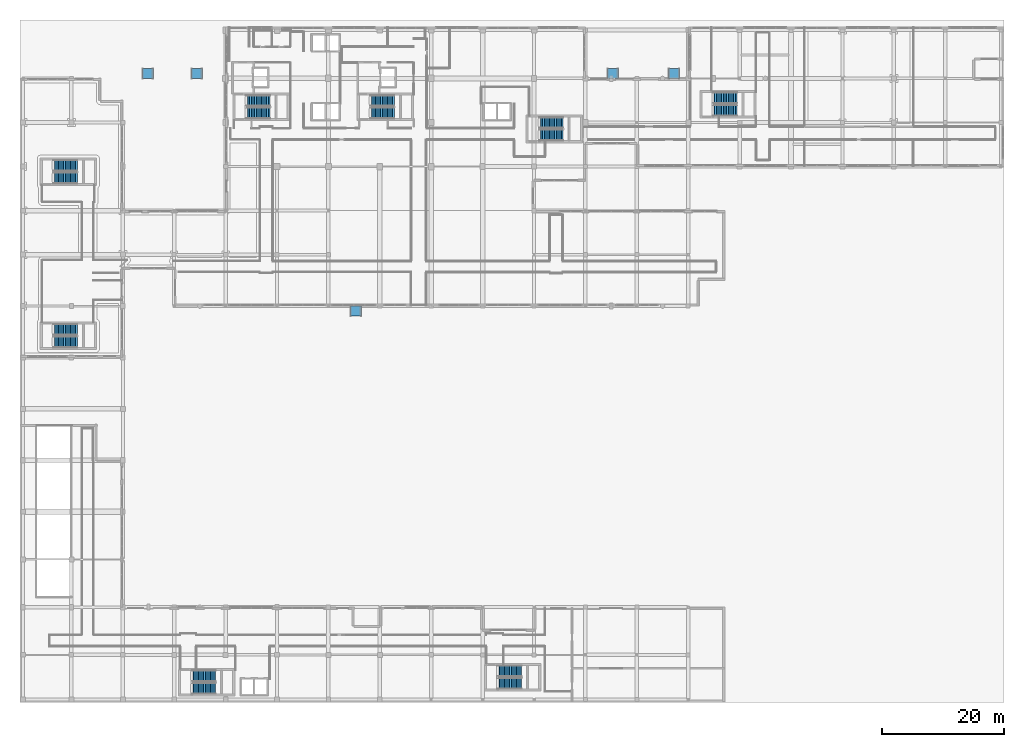
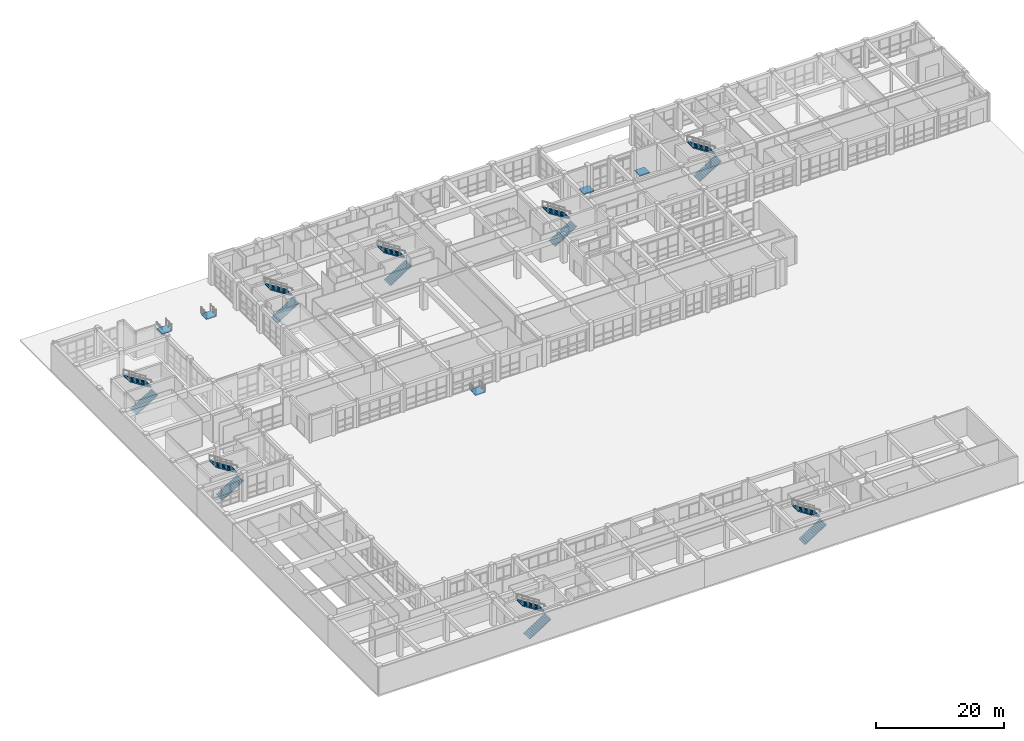
# One storey, part 136 of 148: 16 stair flights, 5 ramps, 5 ramp flights, 8 elements without a shape of their own.
"""IFC4 building model written with IfcOpenShell, lengths in metres."""

from ifc_helpers import new_model, si_unit, direction, frame, origin, place, context, subcontext, project, spatial, polyline, outline, extrude, material, layer, layer_set, type_object, element, aggregate, save


model = new_model("IFC4")

# Units and contexts
model_context = context("Model", 3, precision=1e-05, world=origin(), true_north=direction((0.0, 1.0)))
body_context = subcontext(model_context, "Body", "Model", "MODEL_VIEW")
ifc_project = project(units=[si_unit("LENGTHUNIT", "METRE"), si_unit("AREAUNIT", "SQUARE_METRE"), si_unit("VOLUMEUNIT", "CUBIC_METRE"), si_unit("PLANEANGLEUNIT", "RADIAN"), si_unit("MASSUNIT", "GRAM", prefix="KILO")], contexts=[model_context])

# Site, building, storey
site_placement = place(None, origin())
site = spatial("IfcSite", under=ifc_project, at=site_placement, CompositionType="ELEMENT")
building_placement = place(site_placement, origin())
building = spatial("IfcBuilding", under=site, at=building_placement, Name="Quendrovan Civic Courthouse", CompositionType="ELEMENT")
storey_placement = place(building_placement, origin())
storey = spatial("IfcBuildingStorey", under=building, at=storey_placement, Name="L01", CompositionType="ELEMENT", Elevation=0.0)

# Stair, stair flights
ifc_material_1 = material(Name="Concrete C40/50", Category="concrete")
stair_type_1 = type_object("IfcStairType", Name="STR-CORE-5400", PredefinedType="HALF_TURN_STAIR", material=ifc_material_1)
stair_1_placement = place(storey_placement, origin())
stair_1 = element("IfcStair", 1, at=stair_1_placement, inside=storey, type_object=stair_type_1, Name="L01 West Judicial and Public Exit Stair 1", PredefinedType="HALF_TURN_STAIR")
stair_flight_type_1 = type_object("IfcStairFlightType", Name="FLT-CORE-5400", PredefinedType="STRAIGHT", material=ifc_material_1)
stair_flight_1_placement = place(storey_placement, frame((36.949951171875, 96.324951171875, 0.0), z_axis=(0.0, 0.0, 1.0), x_axis=(1.0, 0.0, 0.0)))
stair_flight_1 = element("IfcStairFlight", 2, at=stair_flight_1_placement, type_object=stair_flight_type_1, Name="ST1 flight 1", NumberOfRisers=15, NumberOfTreads=14, PredefinedType="STRAIGHT", RiserHeight=0.18, TreadLength=0.28, context=body_context, shape_type="SweptSolid", body=[
    extrude(outline(polyline([(0.0, 0.0), (0.0, 0.179931640625), (0.280029296875, 0.179931640625), (0.280029296875, 0.360107421875), (0.56005859375, 0.360107421875), (0.56005859375, 0.5400390625), (0.840087890625, 0.5400390625), (0.840087890625, 0.719970703125), (1.1201171875, 0.719970703125), (1.1201171875, 0.89990234375), (1.39990234375, 0.89990234375), (1.39990234375, 1.080078125), (1.679931640625, 1.080078125), (1.679931640625, 1.260009765625), (1.9599609375, 1.260009765625), (1.9599609375, 1.43994140625), (2.239990234375, 1.43994140625), (2.239990234375, 1.6201171875), (2.52001953125, 1.6201171875), (2.52001953125, 1.800048828125), (2.800048828125, 1.800048828125), (2.800048828125, 1.97998046875), (3.080078125, 1.97998046875), (3.080078125, 2.159912109375), (3.360107421875, 2.159912109375), (3.360107421875, 2.340087890625), (3.639892578125, 2.340087890625), (3.639892578125, 2.52001953125), (3.919921875, 2.52001953125), (3.919921875, 2.699951171875), (3.919921875, 2.341796875), (0.277099609375, 0.0), (0.0, 0.0)])), frame((0.0, 0.925048828125, 0.0), z_axis=(0.0, -1.0, 0.0), x_axis=(1.0, 0.0, 0.0)), (0.0, 0.0, 1.0), 1.85009765625),
])
stair_flight_2_placement = place(storey_placement, frame((40.8701171875, 98.35498046875, 2.699951171875), z_axis=(0.0, 0.0, 1.0), x_axis=(-1.0, 0.0, 0.0)))
stair_flight_2 = element("IfcStairFlight", 3, at=stair_flight_2_placement, type_object=stair_flight_type_1, Name="ST1 flight 2", NumberOfRisers=15, NumberOfTreads=14, PredefinedType="STRAIGHT", RiserHeight=0.18, TreadLength=0.28, context=body_context, shape_type="SweptSolid", body=[
    extrude(outline(polyline([(0.0, 0.0), (0.0, 0.179931640625), (0.280029296875, 0.179931640625), (0.280029296875, 0.360107421875), (0.56005859375, 0.360107421875), (0.56005859375, 0.5400390625), (0.840087890625, 0.5400390625), (0.840087890625, 0.719970703125), (1.1201171875, 0.719970703125), (1.1201171875, 0.89990234375), (1.39990234375, 0.89990234375), (1.39990234375, 1.080078125), (1.679931640625, 1.080078125), (1.679931640625, 1.260009765625), (1.9599609375, 1.260009765625), (1.9599609375, 1.43994140625), (2.239990234375, 1.43994140625), (2.239990234375, 1.6201171875), (2.52001953125, 1.6201171875), (2.52001953125, 1.800048828125), (2.800048828125, 1.800048828125), (2.800048828125, 1.97998046875), (3.080078125, 1.97998046875), (3.080078125, 2.159912109375), (3.360107421875, 2.159912109375), (3.360107421875, 2.340087890625), (3.639892578125, 2.340087890625), (3.639892578125, 2.52001953125), (3.919921875, 2.52001953125), (3.919921875, 2.699951171875), (3.919921875, 2.341796875), (0.277099609375, 0.0), (0.0, 0.0)])), frame((0.0, 0.925048828125, 0.0), z_axis=(0.0, -1.0, 0.0), x_axis=(1.0, 0.0, 0.0)), (0.0, 0.0, 1.0), 1.85009765625),
])
aggregate(stair_1, [stair_flight_1, stair_flight_2])

stair_2_placement = place(storey_placement, origin())
stair_2 = element("IfcStair", 4, at=stair_2_placement, inside=storey, type_object=stair_type_1, Name="L01 Central Judicial and Firefighting Exit Stair 2", PredefinedType="HALF_TURN_STAIR")
stair_flight_3_placement = place(storey_placement, frame((57.25, 96.324951171875, 0.0), z_axis=(0.0, 0.0, 1.0), x_axis=(1.0, 0.0, 0.0)))
stair_flight_3 = element("IfcStairFlight", 5, at=stair_flight_3_placement, type_object=stair_flight_type_1, Name="ST2 flight 1", NumberOfRisers=15, NumberOfTreads=14, PredefinedType="STRAIGHT", RiserHeight=0.18, TreadLength=0.28, context=body_context, shape_type="SweptSolid", body=[
    extrude(outline(polyline([(0.0, 0.0), (0.0, 0.179931640625), (0.280029296875, 0.179931640625), (0.280029296875, 0.360107421875), (0.56005859375, 0.360107421875), (0.56005859375, 0.5400390625), (0.840087890625, 0.5400390625), (0.840087890625, 0.719970703125), (1.1201171875, 0.719970703125), (1.1201171875, 0.89990234375), (1.39990234375, 0.89990234375), (1.39990234375, 1.080078125), (1.679931640625, 1.080078125), (1.679931640625, 1.260009765625), (1.9599609375, 1.260009765625), (1.9599609375, 1.43994140625), (2.239990234375, 1.43994140625), (2.239990234375, 1.6201171875), (2.52001953125, 1.6201171875), (2.52001953125, 1.800048828125), (2.800048828125, 1.800048828125), (2.800048828125, 1.97998046875), (3.080078125, 1.97998046875), (3.080078125, 2.159912109375), (3.360107421875, 2.159912109375), (3.360107421875, 2.340087890625), (3.639892578125, 2.340087890625), (3.639892578125, 2.52001953125), (3.919921875, 2.52001953125), (3.919921875, 2.699951171875), (3.919921875, 2.341796875), (0.277099609375, 0.0), (0.0, 0.0)])), frame((0.0, 0.925048828125, 0.0), z_axis=(0.0, -1.0, 0.0), x_axis=(1.0, 0.0, 0.0)), (0.0, 0.0, 1.0), 1.85009765625),
])
stair_flight_4_placement = place(storey_placement, frame((61.169921875, 98.35498046875, 2.699951171875), z_axis=(0.0, 0.0, 1.0), x_axis=(-1.0, 0.0, 0.0)))
stair_flight_4 = element("IfcStairFlight", 6, at=stair_flight_4_placement, type_object=stair_flight_type_1, Name="ST2 flight 2", NumberOfRisers=15, NumberOfTreads=14, PredefinedType="STRAIGHT", RiserHeight=0.18, TreadLength=0.28, context=body_context, shape_type="SweptSolid", body=[
    extrude(outline(polyline([(0.0, 0.0), (0.0, 0.179931640625), (0.280029296875, 0.179931640625), (0.280029296875, 0.360107421875), (0.56005859375, 0.360107421875), (0.56005859375, 0.5400390625), (0.840087890625, 0.5400390625), (0.840087890625, 0.719970703125), (1.1201171875, 0.719970703125), (1.1201171875, 0.89990234375), (1.39990234375, 0.89990234375), (1.39990234375, 1.080078125), (1.679931640625, 1.080078125), (1.679931640625, 1.260009765625), (1.9599609375, 1.260009765625), (1.9599609375, 1.43994140625), (2.239990234375, 1.43994140625), (2.239990234375, 1.6201171875), (2.52001953125, 1.6201171875), (2.52001953125, 1.800048828125), (2.800048828125, 1.800048828125), (2.800048828125, 1.97998046875), (3.080078125, 1.97998046875), (3.080078125, 2.159912109375), (3.360107421875, 2.159912109375), (3.360107421875, 2.340087890625), (3.639892578125, 2.340087890625), (3.639892578125, 2.52001953125), (3.919921875, 2.52001953125), (3.919921875, 2.699951171875), (3.919921875, 2.341796875), (0.277099609375, 0.0), (0.0, 0.0)])), frame((0.0, 0.925048828125, 0.0), z_axis=(0.0, -1.0, 0.0), x_axis=(1.0, 0.0, 0.0)), (0.0, 0.0, 1.0), 1.85009765625),
])
aggregate(stair_2, [stair_flight_3, stair_flight_4])

stair_3_placement = place(storey_placement, origin())
stair_3 = element("IfcStair", 7, at=stair_3_placement, inside=storey, type_object=stair_type_1, Name="L01 East Court Block Exit Stair 3", PredefinedType="HALF_TURN_STAIR")
stair_flight_5_placement = place(storey_placement, frame((84.85009765625, 92.72509765625, 0.0), z_axis=(0.0, 0.0, 1.0), x_axis=(1.0, 0.0, 0.0)))
stair_flight_5 = element("IfcStairFlight", 8, at=stair_flight_5_placement, type_object=stair_flight_type_1, Name="ST3 flight 1", NumberOfRisers=15, NumberOfTreads=14, PredefinedType="STRAIGHT", RiserHeight=0.18, TreadLength=0.28, context=body_context, shape_type="SweptSolid", body=[
    extrude(outline(polyline([(0.0, 0.0), (0.0, 0.179931640625), (0.280029296875, 0.179931640625), (0.280029296875, 0.360107421875), (0.56005859375, 0.360107421875), (0.56005859375, 0.5400390625), (0.840087890625, 0.5400390625), (0.840087890625, 0.719970703125), (1.1201171875, 0.719970703125), (1.1201171875, 0.89990234375), (1.39990234375, 0.89990234375), (1.39990234375, 1.080078125), (1.679931640625, 1.080078125), (1.679931640625, 1.260009765625), (1.9599609375, 1.260009765625), (1.9599609375, 1.43994140625), (2.239990234375, 1.43994140625), (2.239990234375, 1.6201171875), (2.52001953125, 1.6201171875), (2.52001953125, 1.800048828125), (2.800048828125, 1.800048828125), (2.800048828125, 1.97998046875), (3.080078125, 1.97998046875), (3.080078125, 2.159912109375), (3.360107421875, 2.159912109375), (3.360107421875, 2.340087890625), (3.639892578125, 2.340087890625), (3.639892578125, 2.52001953125), (3.919921875, 2.52001953125), (3.919921875, 2.699951171875), (3.919921875, 2.341796875), (0.277099609375, 0.0), (0.0, 0.0)])), frame((0.0, 0.925048828125, 0.0), z_axis=(0.0, -1.0, 0.0), x_axis=(1.0, 0.0, 0.0)), (0.0, 0.0, 1.0), 1.85009765625),
])
stair_flight_6_placement = place(storey_placement, frame((88.77001953125, 94.7548828125, 2.699951171875), z_axis=(0.0, 0.0, 1.0), x_axis=(-1.0, 0.0, 0.0)))
stair_flight_6 = element("IfcStairFlight", 9, at=stair_flight_6_placement, type_object=stair_flight_type_1, Name="ST3 flight 2", NumberOfRisers=15, NumberOfTreads=14, PredefinedType="STRAIGHT", RiserHeight=0.18, TreadLength=0.28, context=body_context, shape_type="SweptSolid", body=[
    extrude(outline(polyline([(0.0, 0.0), (0.0, 0.179931640625), (0.280029296875, 0.179931640625), (0.280029296875, 0.360107421875), (0.56005859375, 0.360107421875), (0.56005859375, 0.5400390625), (0.840087890625, 0.5400390625), (0.840087890625, 0.719970703125), (1.1201171875, 0.719970703125), (1.1201171875, 0.89990234375), (1.39990234375, 0.89990234375), (1.39990234375, 1.080078125), (1.679931640625, 1.080078125), (1.679931640625, 1.260009765625), (1.9599609375, 1.260009765625), (1.9599609375, 1.43994140625), (2.239990234375, 1.43994140625), (2.239990234375, 1.6201171875), (2.52001953125, 1.6201171875), (2.52001953125, 1.800048828125), (2.800048828125, 1.800048828125), (2.800048828125, 1.97998046875), (3.080078125, 1.97998046875), (3.080078125, 2.159912109375), (3.360107421875, 2.159912109375), (3.360107421875, 2.340087890625), (3.639892578125, 2.340087890625), (3.639892578125, 2.52001953125), (3.919921875, 2.52001953125), (3.919921875, 2.699951171875), (3.919921875, 2.341796875), (0.277099609375, 0.0), (0.0, 0.0)])), frame((0.0, 0.925048828125, 0.0), z_axis=(0.0, -1.0, 0.0), x_axis=(1.0, 0.0, 0.0)), (0.0, 0.0, 1.0), 1.85009765625),
])
aggregate(stair_3, [stair_flight_5, stair_flight_6])

stair_4_placement = place(storey_placement, origin())
stair_4 = element("IfcStair", 10, at=stair_4_placement, inside=storey, type_object=stair_type_1, Name="L01 Law Library Wing Exit Stair 4", PredefinedType="HALF_TURN_STAIR")
stair_flight_7_placement = place(storey_placement, frame((5.449951171875, 58.925048828125, 0.0), z_axis=(0.0, 0.0, 1.0), x_axis=(1.0, 0.0, 0.0)))
stair_flight_7 = element("IfcStairFlight", 11, at=stair_flight_7_placement, type_object=stair_flight_type_1, Name="ST4 flight 1", NumberOfRisers=15, NumberOfTreads=14, PredefinedType="STRAIGHT", RiserHeight=0.18, TreadLength=0.28, context=body_context, shape_type="SweptSolid", body=[
    extrude(outline(polyline([(0.0, 0.0), (0.0, 0.179931640625), (0.280029296875, 0.179931640625), (0.280029296875, 0.360107421875), (0.56005859375, 0.360107421875), (0.56005859375, 0.5400390625), (0.840087890625, 0.5400390625), (0.840087890625, 0.719970703125), (1.1201171875, 0.719970703125), (1.1201171875, 0.89990234375), (1.39990234375, 0.89990234375), (1.39990234375, 1.080078125), (1.679931640625, 1.080078125), (1.679931640625, 1.260009765625), (1.9599609375, 1.260009765625), (1.9599609375, 1.43994140625), (2.239990234375, 1.43994140625), (2.239990234375, 1.6201171875), (2.52001953125, 1.6201171875), (2.52001953125, 1.800048828125), (2.800048828125, 1.800048828125), (2.800048828125, 1.97998046875), (3.080078125, 1.97998046875), (3.080078125, 2.159912109375), (3.360107421875, 2.159912109375), (3.360107421875, 2.340087890625), (3.639892578125, 2.340087890625), (3.639892578125, 2.52001953125), (3.919921875, 2.52001953125), (3.919921875, 2.699951171875), (3.919921875, 2.341796875), (0.277099609375, 0.0), (0.0, 0.0)])), frame((0.0, 0.925048828125, 0.0), z_axis=(0.0, -1.0, 0.0), x_axis=(1.0, 0.0, 0.0)), (0.0, 0.0, 1.0), 1.85009765625),
])
stair_flight_8_placement = place(storey_placement, frame((9.3701171875, 60.955078125, 2.699951171875), z_axis=(0.0, 0.0, 1.0), x_axis=(-1.0, 0.0, 0.0)))
stair_flight_8 = element("IfcStairFlight", 12, at=stair_flight_8_placement, type_object=stair_flight_type_1, Name="ST4 flight 2", NumberOfRisers=15, NumberOfTreads=14, PredefinedType="STRAIGHT", RiserHeight=0.18, TreadLength=0.28, context=body_context, shape_type="SweptSolid", body=[
    extrude(outline(polyline([(0.0, 0.0), (0.0, 0.179931640625), (0.280029296875, 0.179931640625), (0.280029296875, 0.360107421875), (0.56005859375, 0.360107421875), (0.56005859375, 0.5400390625), (0.840087890625, 0.5400390625), (0.840087890625, 0.719970703125), (1.1201171875, 0.719970703125), (1.1201171875, 0.89990234375), (1.39990234375, 0.89990234375), (1.39990234375, 1.080078125), (1.679931640625, 1.080078125), (1.679931640625, 1.260009765625), (1.9599609375, 1.260009765625), (1.9599609375, 1.43994140625), (2.239990234375, 1.43994140625), (2.239990234375, 1.6201171875), (2.52001953125, 1.6201171875), (2.52001953125, 1.800048828125), (2.800048828125, 1.800048828125), (2.800048828125, 1.97998046875), (3.080078125, 1.97998046875), (3.080078125, 2.159912109375), (3.360107421875, 2.159912109375), (3.360107421875, 2.340087890625), (3.639892578125, 2.340087890625), (3.639892578125, 2.52001953125), (3.919921875, 2.52001953125), (3.919921875, 2.699951171875), (3.919921875, 2.341796875), (0.277099609375, 0.0), (0.0, 0.0)])), frame((0.0, 0.925048828125, 0.0), z_axis=(0.0, -1.0, 0.0), x_axis=(1.0, 0.0, 0.0)), (0.0, 0.0, 1.0), 1.85009765625),
])
aggregate(stair_4, [stair_flight_7, stair_flight_8])

stair_5_placement = place(storey_placement, origin())
stair_5 = element("IfcStair", 13, at=stair_5_placement, inside=storey, type_object=stair_type_1, Name="L01 Custody Wing Secure Exit Stair 5", PredefinedType="HALF_TURN_STAIR")
stair_flight_9_placement = place(storey_placement, frame((28.050048828125, 2.324951171875, 0.0), z_axis=(0.0, 0.0, 1.0), x_axis=(1.0, 0.0, 0.0)))
stair_flight_9 = element("IfcStairFlight", 14, at=stair_flight_9_placement, type_object=stair_flight_type_1, Name="ST5 flight 1", NumberOfRisers=15, NumberOfTreads=14, PredefinedType="STRAIGHT", RiserHeight=0.18, TreadLength=0.28, context=body_context, shape_type="SweptSolid", body=[
    extrude(outline(polyline([(0.0, 0.0), (0.0, 0.179931640625), (0.280029296875, 0.179931640625), (0.280029296875, 0.360107421875), (0.56005859375, 0.360107421875), (0.56005859375, 0.5400390625), (0.840087890625, 0.5400390625), (0.840087890625, 0.719970703125), (1.1201171875, 0.719970703125), (1.1201171875, 0.89990234375), (1.39990234375, 0.89990234375), (1.39990234375, 1.080078125), (1.679931640625, 1.080078125), (1.679931640625, 1.260009765625), (1.9599609375, 1.260009765625), (1.9599609375, 1.43994140625), (2.239990234375, 1.43994140625), (2.239990234375, 1.6201171875), (2.52001953125, 1.6201171875), (2.52001953125, 1.800048828125), (2.800048828125, 1.800048828125), (2.800048828125, 1.97998046875), (3.080078125, 1.97998046875), (3.080078125, 2.159912109375), (3.360107421875, 2.159912109375), (3.360107421875, 2.340087890625), (3.639892578125, 2.340087890625), (3.639892578125, 2.52001953125), (3.919921875, 2.52001953125), (3.919921875, 2.699951171875), (3.919921875, 2.341796875), (0.277099609375, 0.0), (0.0, 0.0)])), frame((0.0, 0.925048828125, 0.0), z_axis=(0.0, -1.0, 0.0), x_axis=(1.0, 0.0, 0.0)), (0.0, 0.0, 1.0), 1.85009765625),
])
stair_flight_10_placement = place(storey_placement, frame((31.969970703125, 4.35498046875, 2.699951171875), z_axis=(0.0, 0.0, 1.0), x_axis=(-1.0, 0.0, 0.0)))
stair_flight_10 = element("IfcStairFlight", 15, at=stair_flight_10_placement, type_object=stair_flight_type_1, Name="ST5 flight 2", NumberOfRisers=15, NumberOfTreads=14, PredefinedType="STRAIGHT", RiserHeight=0.18, TreadLength=0.28, context=body_context, shape_type="SweptSolid", body=[
    extrude(outline(polyline([(0.0, 0.0), (0.0, 0.179931640625), (0.280029296875, 0.179931640625), (0.280029296875, 0.360107421875), (0.56005859375, 0.360107421875), (0.56005859375, 0.5400390625), (0.840087890625, 0.5400390625), (0.840087890625, 0.719970703125), (1.1201171875, 0.719970703125), (1.1201171875, 0.89990234375), (1.39990234375, 0.89990234375), (1.39990234375, 1.080078125), (1.679931640625, 1.080078125), (1.679931640625, 1.260009765625), (1.9599609375, 1.260009765625), (1.9599609375, 1.43994140625), (2.239990234375, 1.43994140625), (2.239990234375, 1.6201171875), (2.52001953125, 1.6201171875), (2.52001953125, 1.800048828125), (2.800048828125, 1.800048828125), (2.800048828125, 1.97998046875), (3.080078125, 1.97998046875), (3.080078125, 2.159912109375), (3.360107421875, 2.159912109375), (3.360107421875, 2.340087890625), (3.639892578125, 2.340087890625), (3.639892578125, 2.52001953125), (3.919921875, 2.52001953125), (3.919921875, 2.699951171875), (3.919921875, 2.341796875), (0.277099609375, 0.0), (0.0, 0.0)])), frame((0.0, 0.925048828125, 0.0), z_axis=(0.0, -1.0, 0.0), x_axis=(1.0, 0.0, 0.0)), (0.0, 0.0, 1.0), 1.85009765625),
])
aggregate(stair_5, [stair_flight_9, stair_flight_10])

stair_6_placement = place(storey_placement, origin())
stair_6 = element("IfcStair", 16, at=stair_6_placement, inside=storey, type_object=stair_type_1, Name="L01 Ceremonial Pavilion Exit Stair 6", PredefinedType="HALF_TURN_STAIR")
stair_flight_11_placement = place(storey_placement, frame((113.25, 96.77490234375, 0.0), z_axis=(0.0, 0.0, 1.0), x_axis=(1.0, 0.0, 0.0)))
stair_flight_11 = element("IfcStairFlight", 17, at=stair_flight_11_placement, type_object=stair_flight_type_1, Name="ST6 flight 1", NumberOfRisers=15, NumberOfTreads=14, PredefinedType="STRAIGHT", RiserHeight=0.18, TreadLength=0.28, context=body_context, shape_type="SweptSolid", body=[
    extrude(outline(polyline([(0.0, 0.0), (0.0, 0.179931640625), (0.280029296875, 0.179931640625), (0.280029296875, 0.360107421875), (0.56005859375, 0.360107421875), (0.56005859375, 0.5400390625), (0.840087890625, 0.5400390625), (0.840087890625, 0.719970703125), (1.1201171875, 0.719970703125), (1.1201171875, 0.89990234375), (1.39990234375, 0.89990234375), (1.39990234375, 1.080078125), (1.679931640625, 1.080078125), (1.679931640625, 1.260009765625), (1.9599609375, 1.260009765625), (1.9599609375, 1.43994140625), (2.239990234375, 1.43994140625), (2.239990234375, 1.6201171875), (2.52001953125, 1.6201171875), (2.52001953125, 1.800048828125), (2.800048828125, 1.800048828125), (2.800048828125, 1.97998046875), (3.080078125, 1.97998046875), (3.080078125, 2.159912109375), (3.360107421875, 2.159912109375), (3.360107421875, 2.340087890625), (3.639892578125, 2.340087890625), (3.639892578125, 2.52001953125), (3.919921875, 2.52001953125), (3.919921875, 2.699951171875), (3.919921875, 2.341796875), (0.277099609375, 0.0), (0.0, 0.0)])), frame((0.0, 0.925048828125, 0.0), z_axis=(0.0, -1.0, 0.0), x_axis=(1.0, 0.0, 0.0)), (0.0, 0.0, 1.0), 1.85009765625),
])
stair_flight_12_placement = place(storey_placement, frame((117.169921875, 98.804931640625, 2.699951171875), z_axis=(0.0, 0.0, 1.0), x_axis=(-1.0, 0.0, 0.0)))
stair_flight_12 = element("IfcStairFlight", 18, at=stair_flight_12_placement, type_object=stair_flight_type_1, Name="ST6 flight 2", NumberOfRisers=15, NumberOfTreads=14, PredefinedType="STRAIGHT", RiserHeight=0.18, TreadLength=0.28, context=body_context, shape_type="SweptSolid", body=[
    extrude(outline(polyline([(0.0, 0.0), (0.0, 0.179931640625), (0.280029296875, 0.179931640625), (0.280029296875, 0.360107421875), (0.56005859375, 0.360107421875), (0.56005859375, 0.5400390625), (0.840087890625, 0.5400390625), (0.840087890625, 0.719970703125), (1.1201171875, 0.719970703125), (1.1201171875, 0.89990234375), (1.39990234375, 0.89990234375), (1.39990234375, 1.080078125), (1.679931640625, 1.080078125), (1.679931640625, 1.260009765625), (1.9599609375, 1.260009765625), (1.9599609375, 1.43994140625), (2.239990234375, 1.43994140625), (2.239990234375, 1.6201171875), (2.52001953125, 1.6201171875), (2.52001953125, 1.800048828125), (2.800048828125, 1.800048828125), (2.800048828125, 1.97998046875), (3.080078125, 1.97998046875), (3.080078125, 2.159912109375), (3.360107421875, 2.159912109375), (3.360107421875, 2.340087890625), (3.639892578125, 2.340087890625), (3.639892578125, 2.52001953125), (3.919921875, 2.52001953125), (3.919921875, 2.699951171875), (3.919921875, 2.341796875), (0.277099609375, 0.0), (0.0, 0.0)])), frame((0.0, 0.925048828125, 0.0), z_axis=(0.0, -1.0, 0.0), x_axis=(1.0, 0.0, 0.0)), (0.0, 0.0, 1.0), 1.85009765625),
])
aggregate(stair_6, [stair_flight_11, stair_flight_12])

ifc_material_2 = material(Name="Precast concrete C45/55", Category="concrete")
stair_type_2 = type_object("IfcStairType", Name="STR-FEAT-5400", PredefinedType="HALF_TURN_STAIR", material=ifc_material_2)
stair_7_placement = place(storey_placement, origin())
stair_7 = element("IfcStair", 19, at=stair_7_placement, inside=storey, type_object=stair_type_2, Name="L01 South-East Registry and Custody Exit Stair 7", PredefinedType="HALF_TURN_STAIR")
stair_flight_type_2 = type_object("IfcStairFlightType", Name="FLT-FEAT-5400", PredefinedType="STRAIGHT", material=ifc_material_2)
stair_flight_13_placement = place(storey_placement, frame((78.050048828125, 3.125, 0.0), z_axis=(0.0, 0.0, 1.0), x_axis=(1.0, 0.0, 0.0)))
stair_flight_13 = element("IfcStairFlight", 20, at=stair_flight_13_placement, type_object=stair_flight_type_2, Name="ST7 flight 1", NumberOfRisers=15, NumberOfTreads=14, PredefinedType="STRAIGHT", RiserHeight=0.18, TreadLength=0.28, context=body_context, shape_type="SweptSolid", body=[
    extrude(outline(polyline([(0.0, 0.0), (0.0, 0.179931640625), (0.280029296875, 0.179931640625), (0.280029296875, 0.360107421875), (0.56005859375, 0.360107421875), (0.56005859375, 0.5400390625), (0.840087890625, 0.5400390625), (0.840087890625, 0.719970703125), (1.1201171875, 0.719970703125), (1.1201171875, 0.89990234375), (1.39990234375, 0.89990234375), (1.39990234375, 1.080078125), (1.679931640625, 1.080078125), (1.679931640625, 1.260009765625), (1.9599609375, 1.260009765625), (1.9599609375, 1.43994140625), (2.239990234375, 1.43994140625), (2.239990234375, 1.6201171875), (2.52001953125, 1.6201171875), (2.52001953125, 1.800048828125), (2.800048828125, 1.800048828125), (2.800048828125, 1.97998046875), (3.080078125, 1.97998046875), (3.080078125, 2.159912109375), (3.360107421875, 2.159912109375), (3.360107421875, 2.340087890625), (3.639892578125, 2.340087890625), (3.639892578125, 2.52001953125), (3.919921875, 2.52001953125), (3.919921875, 2.699951171875), (3.919921875, 2.341796875), (0.277099609375, 0.0), (0.0, 0.0)])), frame((0.0, 0.925048828125, 0.0), z_axis=(0.0, -1.0, 0.0), x_axis=(1.0, 0.0, 0.0)), (0.0, 0.0, 1.0), 1.85009765625),
])
stair_flight_14_placement = place(storey_placement, frame((81.969970703125, 5.155029296875, 2.699951171875), z_axis=(0.0, 0.0, 1.0), x_axis=(-1.0, 0.0, 0.0)))
stair_flight_14 = element("IfcStairFlight", 21, at=stair_flight_14_placement, type_object=stair_flight_type_2, Name="ST7 flight 2", NumberOfRisers=15, NumberOfTreads=14, PredefinedType="STRAIGHT", RiserHeight=0.18, TreadLength=0.28, context=body_context, shape_type="SweptSolid", body=[
    extrude(outline(polyline([(0.0, 0.0), (0.0, 0.179931640625), (0.280029296875, 0.179931640625), (0.280029296875, 0.360107421875), (0.56005859375, 0.360107421875), (0.56005859375, 0.5400390625), (0.840087890625, 0.5400390625), (0.840087890625, 0.719970703125), (1.1201171875, 0.719970703125), (1.1201171875, 0.89990234375), (1.39990234375, 0.89990234375), (1.39990234375, 1.080078125), (1.679931640625, 1.080078125), (1.679931640625, 1.260009765625), (1.9599609375, 1.260009765625), (1.9599609375, 1.43994140625), (2.239990234375, 1.43994140625), (2.239990234375, 1.6201171875), (2.52001953125, 1.6201171875), (2.52001953125, 1.800048828125), (2.800048828125, 1.800048828125), (2.800048828125, 1.97998046875), (3.080078125, 1.97998046875), (3.080078125, 2.159912109375), (3.360107421875, 2.159912109375), (3.360107421875, 2.340087890625), (3.639892578125, 2.340087890625), (3.639892578125, 2.52001953125), (3.919921875, 2.52001953125), (3.919921875, 2.699951171875), (3.919921875, 2.341796875), (0.277099609375, 0.0), (0.0, 0.0)])), frame((0.0, 0.925048828125, 0.0), z_axis=(0.0, -1.0, 0.0), x_axis=(1.0, 0.0, 0.0)), (0.0, 0.0, 1.0), 1.85009765625),
])
aggregate(stair_7, [stair_flight_13, stair_flight_14])

stair_8_placement = place(storey_placement, origin())
stair_8 = element("IfcStair", 22, at=stair_8_placement, inside=storey, type_object=stair_type_2, Name="L01 North-West Law Library Exit Stair 8", PredefinedType="HALF_TURN_STAIR")
stair_flight_15_placement = place(storey_placement, frame((5.449951171875, 85.72509765625, 0.0), z_axis=(0.0, 0.0, 1.0), x_axis=(1.0, 0.0, 0.0)))
stair_flight_15 = element("IfcStairFlight", 23, at=stair_flight_15_placement, type_object=stair_flight_type_2, Name="ST8 flight 1", NumberOfRisers=15, NumberOfTreads=14, PredefinedType="STRAIGHT", RiserHeight=0.18, TreadLength=0.28, context=body_context, shape_type="SweptSolid", body=[
    extrude(outline(polyline([(0.0, 0.0), (0.0, 0.179931640625), (0.280029296875, 0.179931640625), (0.280029296875, 0.360107421875), (0.56005859375, 0.360107421875), (0.56005859375, 0.5400390625), (0.840087890625, 0.5400390625), (0.840087890625, 0.719970703125), (1.1201171875, 0.719970703125), (1.1201171875, 0.89990234375), (1.39990234375, 0.89990234375), (1.39990234375, 1.080078125), (1.679931640625, 1.080078125), (1.679931640625, 1.260009765625), (1.9599609375, 1.260009765625), (1.9599609375, 1.43994140625), (2.239990234375, 1.43994140625), (2.239990234375, 1.6201171875), (2.52001953125, 1.6201171875), (2.52001953125, 1.800048828125), (2.800048828125, 1.800048828125), (2.800048828125, 1.97998046875), (3.080078125, 1.97998046875), (3.080078125, 2.159912109375), (3.360107421875, 2.159912109375), (3.360107421875, 2.340087890625), (3.639892578125, 2.340087890625), (3.639892578125, 2.52001953125), (3.919921875, 2.52001953125), (3.919921875, 2.699951171875), (3.919921875, 2.341796875), (0.277099609375, 0.0), (0.0, 0.0)])), frame((0.0, 0.925048828125, 0.0), z_axis=(0.0, -1.0, 0.0), x_axis=(1.0, 0.0, 0.0)), (0.0, 0.0, 1.0), 1.85009765625),
])
stair_flight_16_placement = place(storey_placement, frame((9.3701171875, 87.7548828125, 2.699951171875), z_axis=(0.0, 0.0, 1.0), x_axis=(-1.0, 0.0, 0.0)))
stair_flight_16 = element("IfcStairFlight", 24, at=stair_flight_16_placement, type_object=stair_flight_type_2, Name="ST8 flight 2", NumberOfRisers=15, NumberOfTreads=14, PredefinedType="STRAIGHT", RiserHeight=0.18, TreadLength=0.28, context=body_context, shape_type="SweptSolid", body=[
    extrude(outline(polyline([(0.0, 0.0), (0.0, 0.179931640625), (0.280029296875, 0.179931640625), (0.280029296875, 0.360107421875), (0.56005859375, 0.360107421875), (0.56005859375, 0.5400390625), (0.840087890625, 0.5400390625), (0.840087890625, 0.719970703125), (1.1201171875, 0.719970703125), (1.1201171875, 0.89990234375), (1.39990234375, 0.89990234375), (1.39990234375, 1.080078125), (1.679931640625, 1.080078125), (1.679931640625, 1.260009765625), (1.9599609375, 1.260009765625), (1.9599609375, 1.43994140625), (2.239990234375, 1.43994140625), (2.239990234375, 1.6201171875), (2.52001953125, 1.6201171875), (2.52001953125, 1.800048828125), (2.800048828125, 1.800048828125), (2.800048828125, 1.97998046875), (3.080078125, 1.97998046875), (3.080078125, 2.159912109375), (3.360107421875, 2.159912109375), (3.360107421875, 2.340087890625), (3.639892578125, 2.340087890625), (3.639892578125, 2.52001953125), (3.919921875, 2.52001953125), (3.919921875, 2.699951171875), (3.919921875, 2.341796875), (0.277099609375, 0.0), (0.0, 0.0)])), frame((0.0, 0.925048828125, 0.0), z_axis=(0.0, -1.0, 0.0), x_axis=(1.0, 0.0, 0.0)), (0.0, 0.0, 1.0), 1.85009765625),
])
aggregate(stair_8, [stair_flight_15, stair_flight_16])

# Ramps
ifc_layer_1 = layer(ifc_material_2, 0.199951171875, Name="Precast concrete C45/55")
ifc_layer_set_1 = layer_set([ifc_layer_1], Name="Precast concrete C45/55")
ramp_type = type_object("IfcRampType", Name="RMP-PED-1800", PredefinedType="STRAIGHT_RUN_RAMP", material=ifc_layer_set_1)
for number, where, z_axis, x_axis, name in (
    (25, (20.0, 102.0, -0.06005859375), (0.0, -0.037507918415, 0.999296330453), (1.0, 0.0, 0.0), "Accessible Pedestrian Entrance Ramp RP2"),
    (26, (28.0, 102.0, -0.06005859375), (0.0, -0.037507918415, 0.999296330453), (1.0, 0.0, 0.0), "Accessible Pedestrian Entrance Ramp RP3"),
    (27, (96.0, 102.0, -0.06005859375), (0.0, -0.037507918415, 0.999296330453), (1.0, 0.0, 0.0), "Accessible Pedestrian Entrance Ramp RP4"),
    (28, (106.0, 102.0, -0.06005859375), (0.0, -0.037507918415, 0.999296330453), (1.0, 0.0, 0.0), "Accessible Pedestrian Entrance Ramp RP5"),
    (29, (54.0, 63.199951171875, -0.06005859375), (0.0, -0.037507918415, 0.999296330453), (1.0, 0.0, 0.0), "Accessible Pedestrian Entrance Ramp RP6"),
):
    element("IfcRamp", number, at=place(storey_placement, frame(where, z_axis=z_axis, x_axis=x_axis)), inside=storey, type_object=ramp_type, Name=name, PredefinedType="STRAIGHT_RUN_RAMP", context=body_context, shape_type="SweptSolid", body=[
        extrude(outline(polyline([(0.0, 0.0), (1.800048828125, 0.0), (1.800048828125, 1.601224389091039), (0.0, 1.601224389091039), (0.0, 0.0)])), origin(), (0.0, 0.0, -1.0), 0.199951171875),
    ])

# Ramp flights
ifc_layer_2 = layer(ifc_material_2, 0.199951171875, Name="Precast concrete C45/55")
ifc_layer_set_2 = layer_set([ifc_layer_2], Name="Precast concrete C45/55")
ramp_flight_type = type_object("IfcRampFlightType", Name="RMPF-PED-1800", PredefinedType="STRAIGHT", material=ifc_layer_set_2)
for number, where, z_axis, x_axis, name in (
    (30, (20.0, 102.0, -0.06005859375), (0.0, -0.037507918415, 0.999296330453), (1.0, 0.0, 0.0), "Accessible Pedestrian Ramp Flight RP2F"),
    (31, (28.0, 102.0, -0.06005859375), (0.0, -0.037507918415, 0.999296330453), (1.0, 0.0, 0.0), "Accessible Pedestrian Ramp Flight RP3F"),
    (32, (96.0, 102.0, -0.06005859375), (0.0, -0.037507918415, 0.999296330453), (1.0, 0.0, 0.0), "Accessible Pedestrian Ramp Flight RP4F"),
    (33, (106.0, 102.0, -0.06005859375), (0.0, -0.037507918415, 0.999296330453), (1.0, 0.0, 0.0), "Accessible Pedestrian Ramp Flight RP5F"),
    (34, (54.0, 63.199951171875, -0.06005859375), (0.0, -0.037507918415, 0.999296330453), (1.0, 0.0, 0.0), "Accessible Pedestrian Ramp Flight RP6F"),
):
    element("IfcRampFlight", number, at=place(storey_placement, frame(where, z_axis=z_axis, x_axis=x_axis)), inside=storey, type_object=ramp_flight_type, Name=name, PredefinedType="STRAIGHT", context=body_context, shape_type="SweptSolid", body=[
        extrude(outline(polyline([(0.0, 0.0), (1.800048828125, 0.0), (1.800048828125, 1.601224389091039), (0.0, 1.601224389091039), (0.0, 0.0)])), origin(), (0.0, 0.0, -1.0), 0.199951171875),
    ])

save(model, "model.ifc")
